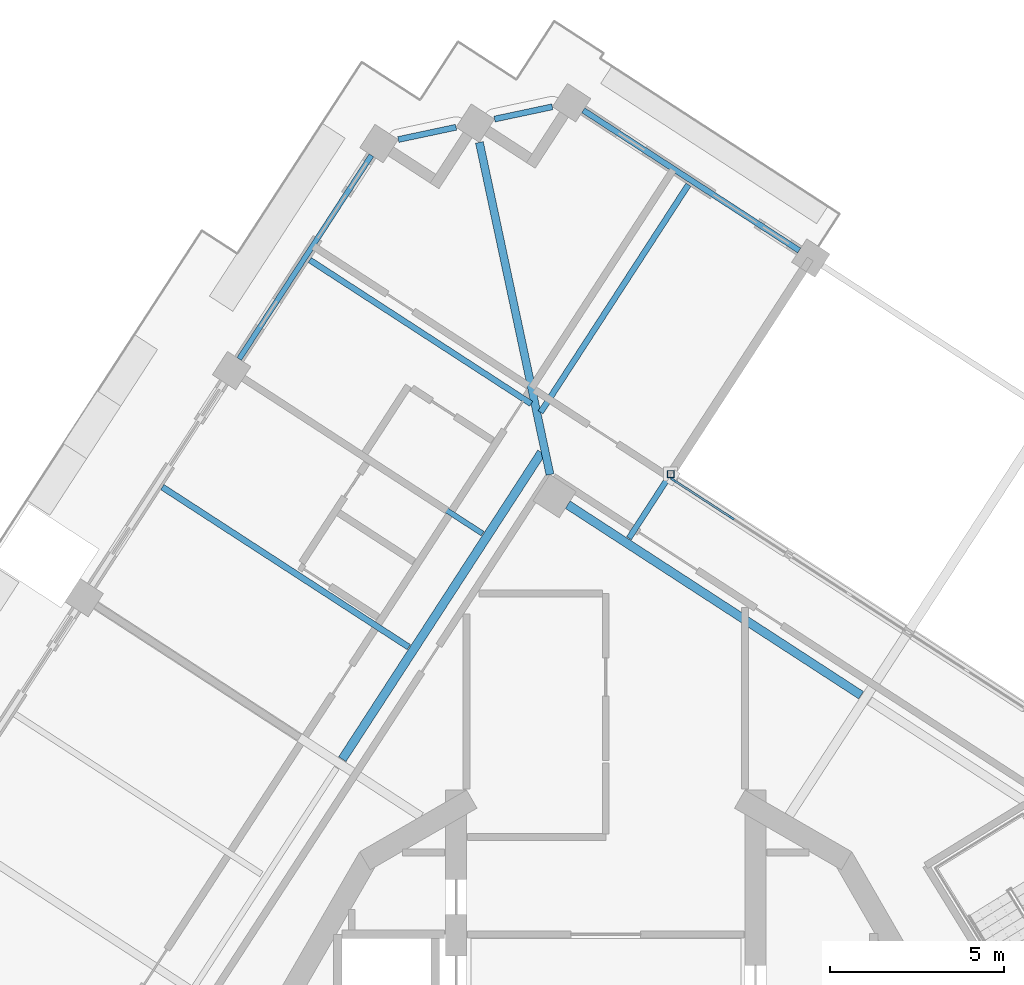
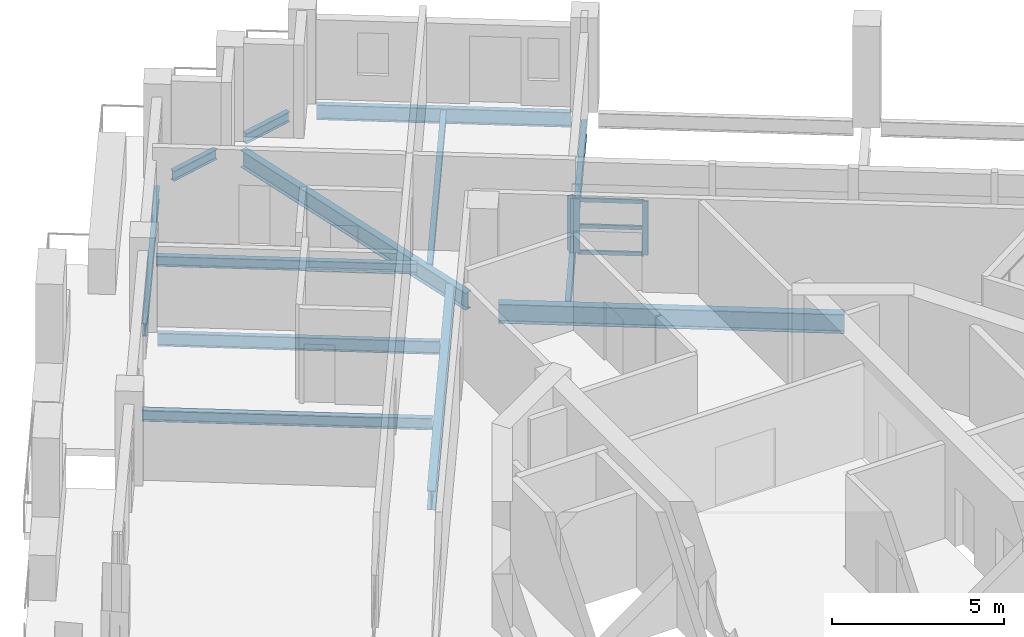
# One storey, part 2 of 17: 12 beams, 6 members, 1 element without a shape of its own.
"""IFC4 building model written with IfcOpenShell, lengths in metres."""

from ifc_helpers import new_model, si_unit, direction, frame, origin, origin_2d, place, context, subcontext, project, spatial, rectangle, hollow_rectangle, i_section, extrude, material, material_profile, profile_set, type_object, element, aggregate, save


model = new_model("IFC4")

# Units and contexts
model_context = context("Model", 3, precision=1e-05, world=origin(), true_north=direction((0.0, 1.0)))
body_context = subcontext(model_context, "Body", "Model", "MODEL_VIEW")
ifc_project = project(units=[si_unit("LENGTHUNIT", "METRE"), si_unit("AREAUNIT", "SQUARE_METRE"), si_unit("VOLUMEUNIT", "CUBIC_METRE"), si_unit("PLANEANGLEUNIT", "RADIAN"), si_unit("MASSUNIT", "GRAM", prefix="KILO")], contexts=[model_context])

# Site, building, storey
site_placement = place(None, origin())
site = spatial("IfcSite", under=ifc_project, at=site_placement, CompositionType="ELEMENT")
building_placement = place(site_placement, origin())
building = spatial("IfcBuilding", under=site, at=building_placement, Name="Cantera Rosa Tower", CompositionType="ELEMENT")
storey_placement = place(building_placement, frame((0.0, 0.0, 279.300048828125)))
storey = spatial("IfcBuildingStorey", under=building, at=storey_placement, Name="L63", CompositionType="ELEMENT", Elevation=279.300048828125)

# Curtain wall, members
ifc_material_1 = material(Name="Aluminium frame with clear glass", Category="aluminium")
curtain_wall_type = type_object("IfcCurtainWallType", Name="CW1 TERRACE POCKET GLAZING", PredefinedType="NOTDEFINED", material=ifc_material_1)
curtain_wall_placement = place(storey_placement, origin())
curtain_wall = element("IfcCurtainWall", 1, at=curtain_wall_placement, inside=storey, type_object=curtain_wall_type, Name="CW1 CW1", PredefinedType="NOTDEFINED")
ifc_material_2 = material(Name="Anodised bronze aluminium", Category="aluminium")
ifc_material_profile_1 = material_profile(ifc_material_2, rectangle(XDim=0.06005859375, YDim=0.179931640625, at=origin_2d()), Name="CW-MULLION 60x180 POCKET")
ifc_profile_set_1 = profile_set([ifc_material_profile_1], Name="Anodised bronze aluminium")
member_type_1 = type_object("IfcMemberType", Name="CW-MULLION 60x180 POCKET", PredefinedType="MULLION", material=ifc_profile_set_1)
member_1_placement = place(storey_placement, frame((3.60791015625, 16.67529296875, 0.0), z_axis=(0.0, 0.0, 1.0), x_axis=(-0.544639034971, -0.838670567974, 0.0)))
member_1 = element("IfcMember", 2, at=member_1_placement, type_object=member_type_1, Name="CW1 mullion 8", PredefinedType="MULLION", context=body_context, shape_type="SweptSolid", body=[
    extrude(rectangle(XDim=0.06005859375, YDim=0.179931640625, at=origin_2d()), origin(), (0.0, 0.0, 1.0), 1.911865234375),
])
member_2_placement = place(storey_placement, frame((1.93994140625, 17.75830078125, 0.0), z_axis=(0.0, 0.0, 1.0), x_axis=(-0.544639034971, -0.838670567974, 0.0)))
member_2 = element("IfcMember", 3, at=member_2_placement, type_object=member_type_1, Name="CW1 mullion 9", PredefinedType="MULLION", context=body_context, shape_type="SweptSolid", body=[
    extrude(rectangle(XDim=0.06005859375, YDim=0.179931640625, at=origin_2d()), origin(), (0.0, 0.0, 1.0), 1.911865234375),
])
ifc_material_3 = material(Name="Anodised bronze aluminium", Category="aluminium")
ifc_material_profile_2 = material_profile(ifc_material_3, rectangle(XDim=0.06005859375, YDim=0.139892578125, at=origin_2d()), Name="CW-TRANSOM 60x140 POCKET")
ifc_profile_set_2 = profile_set([ifc_material_profile_2], Name="Anodised bronze aluminium")
member_type_2 = type_object("IfcMemberType", Name="CW-TRANSOM 60x140 POCKET", PredefinedType="USERDEFINED", material=ifc_profile_set_2)
member_3_placement = place(storey_placement, frame((3.58251953125, 16.691650390625, 0.030029296875), z_axis=(-0.838631554261, 0.544699106111, 0.0), x_axis=(-0.544699106111, -0.838631554261, 0.0)))
member_3 = element("IfcMember", 4, at=member_3_placement, type_object=member_type_2, Name="CW1 transom 8.1", ObjectType="TRANSOM", PredefinedType="USERDEFINED", context=body_context, shape_type="SweptSolid", body=[
    extrude(rectangle(XDim=0.06005859375, YDim=0.139892578125, at=origin_2d()), origin(), (0.0, 0.0, 1.0), 1.9287109375),
])
member_4_placement = place(storey_placement, frame((3.58251953125, 16.691650390625, 0.9560546875), z_axis=(-0.838631554261, 0.544699106111, 0.0), x_axis=(-0.544699106111, -0.838631554261, 0.0)))
member_4 = element("IfcMember", 5, at=member_4_placement, type_object=member_type_2, Name="CW1 transom 8.2", ObjectType="TRANSOM", PredefinedType="USERDEFINED", context=body_context, shape_type="SweptSolid", body=[
    extrude(rectangle(XDim=0.06005859375, YDim=0.139892578125, at=origin_2d()), origin(), (0.0, 0.0, 1.0), 1.9287109375),
])
member_5_placement = place(storey_placement, frame((3.58251953125, 16.691650390625, 1.8818359375), z_axis=(-0.838631554261, 0.544699106111, 0.0), x_axis=(-0.544699106111, -0.838631554261, 0.0)))
member_5 = element("IfcMember", 6, at=member_5_placement, type_object=member_type_2, Name="CW1 transom 8.3", ObjectType="TRANSOM", PredefinedType="USERDEFINED", context=body_context, shape_type="SweptSolid", body=[
    extrude(rectangle(XDim=0.06005859375, YDim=0.139892578125, at=origin_2d()), origin(), (0.0, 0.0, 1.0), 1.9287109375),
])
aggregate(curtain_wall, [member_1, member_2, member_3, member_4, member_5])

# Member
ifc_material_4 = material(Name="Steel ASTM A992 (Fy 345 MPa)", Category="steel")
ifc_material_profile_3 = material_profile(ifc_material_4, hollow_rectangle(XDim=0.199951171875, YDim=0.199951171875, WallThickness=0.010009765625, at=origin_2d()), Name="LINTEL POST RHS 200x200x10")
ifc_profile_set_3 = profile_set([ifc_material_profile_3], Name="Steel ASTM A992 (Fy 345 MPa)")
member_type_3 = type_object("IfcMemberType", Name="LINTEL POST RHS 200x200x10", PredefinedType="USERDEFINED", material=ifc_profile_set_3)
member_6_placement = place(storey_placement, frame((1.864501953125, 17.9267578125, 0.0), z_axis=(0.0, 0.0, 1.0), x_axis=(1.0, 0.0, 0.0)))
element("IfcMember", 7, at=member_6_placement, inside=storey, type_object=member_type_3, Name="LINTEL POST L63-2", ObjectType="LINTEL POST", PredefinedType="USERDEFINED", context=body_context, shape_type="SweptSolid", body=[
    extrude(hollow_rectangle(XDim=0.199951171875, YDim=0.199951171875, WallThickness=0.010009765625, at=origin_2d()), origin(), (0.0, 0.0, 1.0), 1.9140625),
])

# Beams
ifc_material_5 = material(Name="Steel ASTM A992 (Fy 345 MPa)", Category="steel")
ifc_material_profile_4 = material_profile(ifc_material_5, i_section(OverallWidth=0.154052734375, OverallDepth=0.4599609375, WebThickness=0.009033203125, FlangeThickness=0.015380859375, FilletRadius=0.01025390625, at=origin_2d()), Name="W460X68")
ifc_profile_set_4 = profile_set([ifc_material_profile_4], Name="Steel ASTM A992 (Fy 345 MPa)")
beam_type_1 = type_object("IfcBeamType", Name="STEEL BEAM W460X68", PredefinedType="BEAM", material=ifc_profile_set_4)
beam_1_placement = place(storey_placement, frame((-10.41748046875, 20.68017578125, -0.47998046875), z_axis=(0.838672777751, -0.544635632198, 0.0), x_axis=(0.544635632198, 0.838672777751, 0.0)))
element("IfcBeam", 8, at=beam_1_placement, inside=storey, type_object=beam_type_1, Name="G-Z5-04 L63", PredefinedType="BEAM", context=body_context, shape_type="SweptSolid", body=[
    extrude(i_section(OverallWidth=0.154052734375, OverallDepth=0.4599609375, WebThickness=0.009033203125, FlangeThickness=0.015380859375, FilletRadius=0.01025390625, at=origin_2d()), origin(), (0.0, 0.0, 1.0), 8.2001953125),
])
ifc_material_6 = material(Name="Steel ASTM A992 (Fy 345 MPa)", Category="steel")
ifc_material_profile_5 = material_profile(ifc_material_6, i_section(OverallWidth=0.166015625, OverallDepth=0.528076171875, WebThickness=0.009765625, FlangeThickness=0.013671875, FilletRadius=0.0126953125, at=origin_2d()), Name="W530X74")
ifc_profile_set_5 = profile_set([ifc_material_profile_5], Name="Steel ASTM A992 (Fy 345 MPa)")
beam_type_2 = type_object("IfcBeamType", Name="STEEL BEAM W530X74", PredefinedType="BEAM", material=ifc_profile_set_5)
beam_2_placement = place(storey_placement, frame((5.6767578125, 23.79736328125, -0.51416015625), z_axis=(-0.544622654601, -0.838681205283, 0.0), x_axis=(0.838681205283, -0.544622654601, 0.0)))
element("IfcBeam", 9, at=beam_2_placement, inside=storey, type_object=beam_type_2, Name="G-Z5-03 L63", PredefinedType="BEAM", context=body_context, shape_type="SweptSolid", body=[
    extrude(i_section(OverallWidth=0.166015625, OverallDepth=0.528076171875, WebThickness=0.009765625, FlangeThickness=0.013671875, FilletRadius=0.0126953125, at=origin_2d()), origin(), (0.0, 0.0, 1.0), 9.199951171875),
])
ifc_material_7 = material(Name="Steel ASTM A992 (Fy 345 MPa)", Category="steel")
ifc_material_profile_6 = material_profile(ifc_material_7, i_section(OverallWidth=0.22802734375, OverallDepth=0.60205078125, WebThickness=0.010498046875, FlangeThickness=0.014892578125, FilletRadius=0.0126953125, at=origin_2d()), Name="W610X101")
ifc_profile_set_6 = profile_set([ifc_material_profile_6], Name="Steel ASTM A992 (Fy 345 MPa)")
beam_type_3 = type_object("IfcBeamType", Name="STEEL BEAM W610X101", PredefinedType="BEAM", material=ifc_profile_set_6)
beam_3_placement = place(storey_placement, frame((-3.63134765625, 27.45751953125, -0.551025390625), z_axis=(0.20790902572, -0.978148167214, 0.0), x_axis=(0.978148167214, 0.20790902572, 0.0)))
element("IfcBeam", 10, at=beam_3_placement, inside=storey, type_object=beam_type_3, Name="CB-Z5-01 L63", PredefinedType="BEAM", context=body_context, shape_type="SweptSolid", body=[
    extrude(i_section(OverallWidth=0.22802734375, OverallDepth=0.60205078125, WebThickness=0.010498046875, FlangeThickness=0.014892578125, FilletRadius=0.0126953125, at=origin_2d()), origin(), (0.0, 0.0, 1.0), 9.758056640625),
])
ifc_material_8 = material(Name="Steel ASTM A992 (Fy 345 MPa)", Category="steel")
ifc_material_profile_7 = material_profile(ifc_material_8, i_section(OverallWidth=0.25390625, OverallDepth=0.677978515625, WebThickness=0.01171875, FlangeThickness=0.016357421875, FilletRadius=0.01513671875, at=origin_2d()), Name="W690X125")
ifc_profile_set_7 = profile_set([ifc_material_profile_7], Name="Steel ASTM A992 (Fy 345 MPa)")
beam_type_4 = type_object("IfcBeamType", Name="STEEL BEAM W690X125", PredefinedType="BEAM", material=ifc_profile_set_7)
beam_4_placement = place(storey_placement, frame((-7.570068359375, 9.733154296875, -0.589111328125), z_axis=(0.544635575355, 0.838672814665, 0.0), x_axis=(-0.838672814665, 0.544635575355, 0.0)))
element("IfcBeam", 11, at=beam_4_placement, inside=storey, type_object=beam_type_4, Name="RB-Z5-03 L63", PredefinedType="BEAM", context=body_context, shape_type="SweptSolid", body=[
    extrude(i_section(OverallWidth=0.25390625, OverallDepth=0.677978515625, WebThickness=0.01171875, FlangeThickness=0.016357421875, FilletRadius=0.01513671875, at=origin_2d()), origin(), (0.0, 0.0, 1.0), 10.510009765625),
])
beam_5_placement = place(storey_placement, frame((7.335693359375, 11.571533203125, -0.589111328125), z_axis=(-0.838665001306, 0.544647606792, 0.0), x_axis=(-0.544647606792, -0.838665001306, 0.0)))
element("IfcBeam", 12, at=beam_5_placement, inside=storey, type_object=beam_type_4, Name="RB-Z5-08 L63", PredefinedType="BEAM", context=body_context, shape_type="SweptSolid", body=[
    extrude(i_section(OverallWidth=0.25390625, OverallDepth=0.677978515625, WebThickness=0.01171875, FlangeThickness=0.016357421875, FilletRadius=0.01513671875, at=origin_2d()), origin(), (0.0, 0.0, 1.0), 10.0498046875),
])
ifc_material_9 = material(Name="Steel ASTM A992 (Fy 345 MPa)", Category="steel")
ifc_material_profile_8 = material_profile(ifc_material_9, i_section(OverallWidth=0.1708984375, OverallDepth=0.35595703125, WebThickness=0.00732421875, FlangeThickness=0.01171875, FilletRadius=0.010009765625, at=origin_2d()), Name="W360X51")
ifc_profile_set_8 = profile_set([ifc_material_profile_8], Name="Steel ASTM A992 (Fy 345 MPa)")
beam_type_5 = type_object("IfcBeamType", Name="STEEL JOIST W360X51", PredefinedType="JOIST", material=ifc_profile_set_8)
beam_6_placement = place(storey_placement, frame((2.37451171875, 26.239990234375, -0.427978515625), z_axis=(-0.54465605183, -0.838659516851, 0.0), x_axis=(0.838659516851, -0.54465605183, 0.0)))
element("IfcBeam", 13, at=beam_6_placement, inside=storey, type_object=beam_type_5, Name="B-Z5-04 L63", PredefinedType="JOIST", context=body_context, shape_type="SweptSolid", body=[
    extrude(i_section(OverallWidth=0.1708984375, OverallDepth=0.35595703125, WebThickness=0.00732421875, FlangeThickness=0.01171875, FilletRadius=0.010009765625, at=origin_2d()), origin(), (0.0, 0.0, 1.0), 7.800048828125),
])
beam_7_placement = place(storey_placement, frame((-8.508544921875, 24.07861328125, -0.427978515625), z_axis=(0.838670629323, -0.544638940502, 0.0), x_axis=(0.544638940502, 0.838670629323, 0.0)))
element("IfcBeam", 14, at=beam_7_placement, inside=storey, type_object=beam_type_5, Name="B-Z5-05 L63", PredefinedType="JOIST", context=body_context, shape_type="SweptSolid", body=[
    extrude(i_section(OverallWidth=0.1708984375, OverallDepth=0.35595703125, WebThickness=0.00732421875, FlangeThickness=0.01171875, FilletRadius=0.010009765625, at=origin_2d()), origin(), (0.0, 0.0, 1.0), 7.58984375),
])
ifc_material_10 = material(Name="Steel ASTM A992 (Fy 345 MPa)", Category="steel")
ifc_material_profile_9 = material_profile(ifc_material_10, i_section(OverallWidth=0.177978515625, OverallDepth=0.406005859375, WebThickness=0.0078125, FlangeThickness=0.0126953125, FilletRadius=0.01025390625, at=origin_2d()), Name="W410X60")
ifc_profile_set_9 = profile_set([ifc_material_profile_9], Name="Steel ASTM A992 (Fy 345 MPa)")
beam_type_6 = type_object("IfcBeamType", Name="STEEL JOIST W410X60", PredefinedType="JOIST", material=ifc_profile_set_9)
beam_8_placement = place(storey_placement, frame((-12.745849609375, 17.5537109375, -0.453125), z_axis=(0.838683812595, -0.5446186395, 0.0), x_axis=(0.5446186395, 0.838683812595, 0.0)))
element("IfcBeam", 15, at=beam_8_placement, inside=storey, type_object=beam_type_6, Name="B-Z5-06 L63", PredefinedType="JOIST", context=body_context, shape_type="SweptSolid", body=[
    extrude(i_section(OverallWidth=0.177978515625, OverallDepth=0.406005859375, WebThickness=0.0078125, FlangeThickness=0.0126953125, FilletRadius=0.01025390625, at=origin_2d()), origin(), (0.0, 0.0, 1.0), 8.449951171875),
])
ifc_material_11 = material(Name="Steel ASTM A992 (Fy 345 MPa)", Category="steel")
ifc_material_profile_10 = material_profile(ifc_material_11, i_section(OverallWidth=0.1708984375, OverallDepth=0.35595703125, WebThickness=0.00732421875, FlangeThickness=0.01171875, FilletRadius=0.010009765625, at=origin_2d()), Name="W360X51")
ifc_profile_set_10 = profile_set([ifc_material_profile_10], Name="Steel ASTM A992 (Fy 345 MPa)")
beam_type_7 = type_object("IfcBeamType", Name="STEEL SPANDREL BEAM W360X51", PredefinedType="SPANDREL", material=ifc_profile_set_10)
for number, where, z_axis, x_axis, name in (
    (16, (-1.53564453125, 28.481201171875, -0.427978515625), (-0.978158850918, -0.20785875582, 0.0), (0.20785875582, -0.978158850918, 0.0), "EB-Z5-05 L63"),
    (17, (-4.30224609375, 27.893310546875, -0.427978515625), (-0.978129595322, -0.207996381593, 0.0), (0.207996381593, -0.978129595322, 0.0), "EB-Z5-06 L63"),
):
    element("IfcBeam", number, at=place(storey_placement, frame(where, z_axis=z_axis, x_axis=x_axis)), inside=storey, type_object=beam_type_7, Name=name, PredefinedType="SPANDREL", context=body_context, shape_type="SweptSolid", body=[
        extrude(i_section(OverallWidth=0.1708984375, OverallDepth=0.35595703125, WebThickness=0.00732421875, FlangeThickness=0.01171875, FilletRadius=0.010009765625, at=origin_2d()), origin(), (0.0, 0.0, 1.0), 1.697265625),
    ])
ifc_material_12 = material(Name="Steel ASTM A992 (Fy 345 MPa)", Category="steel")
ifc_material_profile_11 = material_profile(ifc_material_12, i_section(OverallWidth=0.154052734375, OverallDepth=0.4599609375, WebThickness=0.009033203125, FlangeThickness=0.015380859375, FilletRadius=0.01025390625, at=origin_2d()), Name="W460X68")
ifc_profile_set_11 = profile_set([ifc_material_profile_11], Name="Steel ASTM A992 (Fy 345 MPa)")
beam_type_8 = type_object("IfcBeamType", Name="STEEL SPANDREL BEAM W460X68", PredefinedType="SPANDREL", material=ifc_profile_set_11)
beam_9_placement = place(storey_placement, frame((-6.7333984375, 27.08740234375, -0.47998046875), z_axis=(-0.544651451949, -0.838662504164, 0.0), x_axis=(0.838662504164, -0.544651451949, 0.0)))
element("IfcBeam", 18, at=beam_9_placement, inside=storey, type_object=beam_type_8, Name="EB-Z5-07 L63", PredefinedType="SPANDREL", context=body_context, shape_type="SweptSolid", body=[
    extrude(i_section(OverallWidth=0.154052734375, OverallDepth=0.4599609375, WebThickness=0.009033203125, FlangeThickness=0.015380859375, FilletRadius=0.01025390625, at=origin_2d()), origin(), (0.0, 0.0, 1.0), 6.980224609375),
])
ifc_material_13 = material(Name="Steel ASTM A992 (Fy 345 MPa)", Category="steel")
ifc_material_profile_12 = material_profile(ifc_material_13, i_section(OverallWidth=0.166015625, OverallDepth=0.528076171875, WebThickness=0.009765625, FlangeThickness=0.013671875, FilletRadius=0.0126953125, at=origin_2d()), Name="W530X74")
ifc_profile_set_12 = profile_set([ifc_material_profile_12], Name="Steel ASTM A992 (Fy 345 MPa)")
beam_type_9 = type_object("IfcBeamType", Name="STEEL SPANDREL BEAM W530X74", PredefinedType="SPANDREL", material=ifc_profile_set_12)
beam_10_placement = place(storey_placement, frame((5.559326171875, 24.350830078125, -0.51416015625), z_axis=(-0.838679465365, 0.544625333946, 0.0), x_axis=(-0.544625333946, -0.838679465365, 0.0)))
element("IfcBeam", 19, at=beam_10_placement, inside=storey, type_object=beam_type_9, Name="EB-Z5-04 L63", PredefinedType="SPANDREL", context=body_context, shape_type="SweptSolid", body=[
    extrude(i_section(OverallWidth=0.166015625, OverallDepth=0.528076171875, WebThickness=0.009765625, FlangeThickness=0.013671875, FilletRadius=0.0126953125, at=origin_2d()), origin(), (0.0, 0.0, 1.0), 7.400146484375),
])

save(model, "model.ifc")
